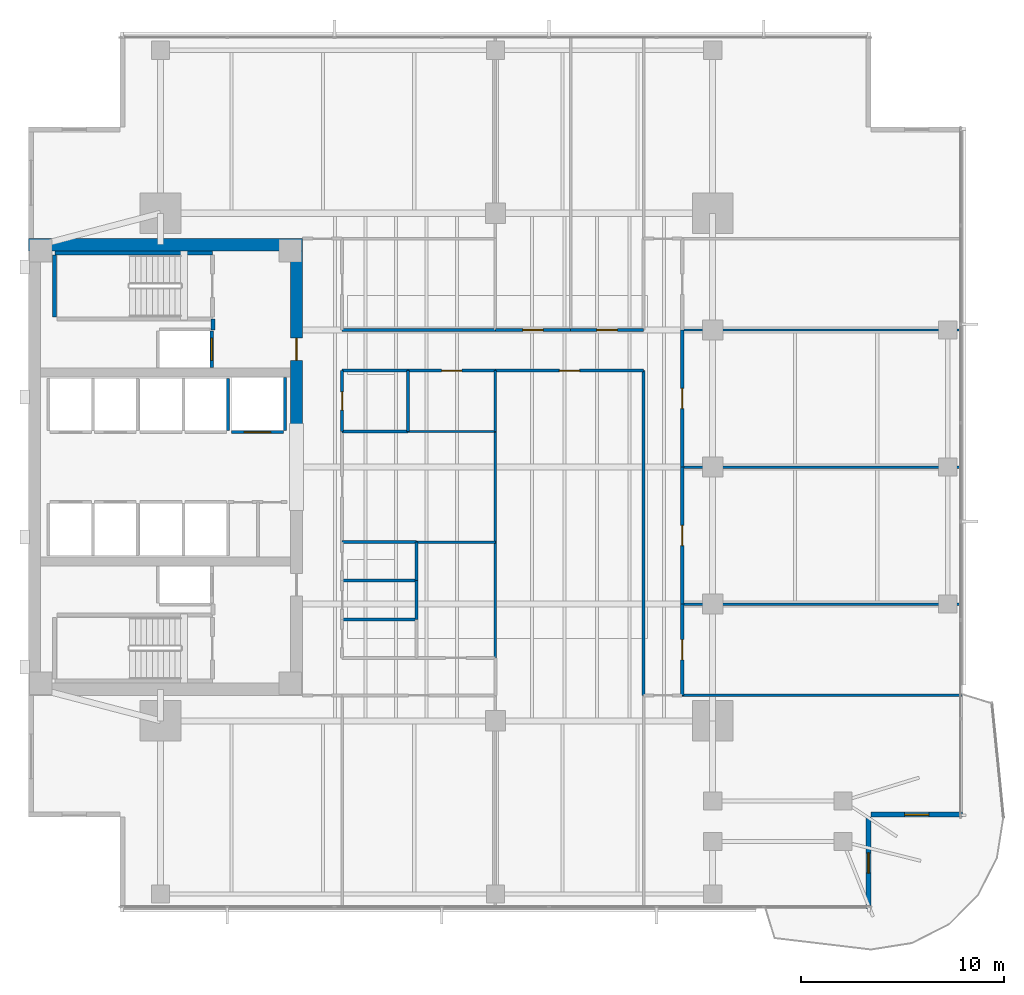
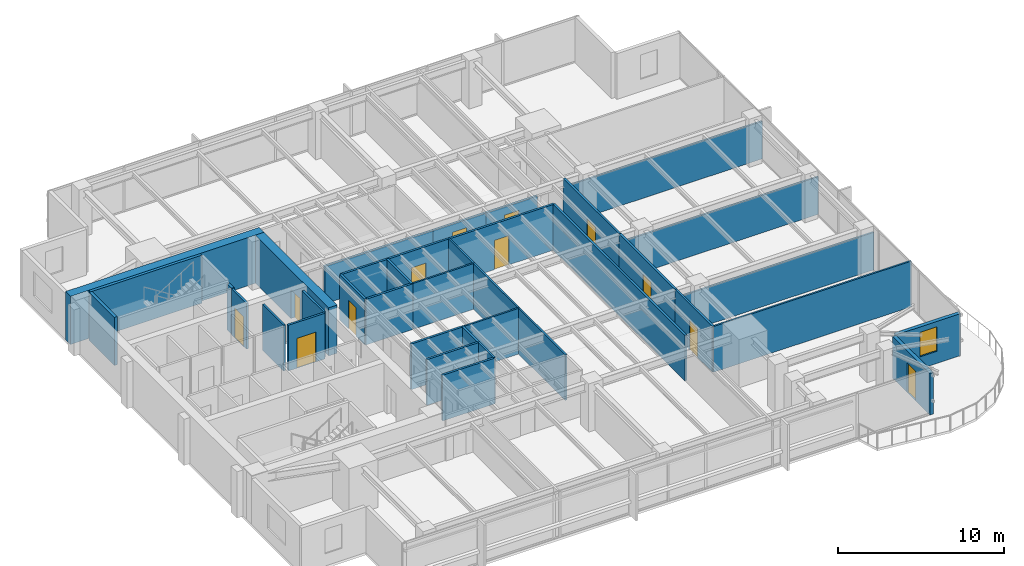
# One storey, part 9 of 14: 38 walls, 12 doors, 1 window, 13 openings.
"""IFC4 building model written with IfcOpenShell, lengths in metres."""

from ifc_helpers import new_model, si_unit, direction, frame, frame_2d, origin, place, context, subcontext, project, spatial, rectangle, extrude, material, layer, layer_set, type_object, element, fill, save


model = new_model("IFC4")

# Units and contexts
model_context = context("Model", 3, precision=1e-05, world=origin(), true_north=direction((0.0, 1.0)))
body_context = subcontext(model_context, "Body", "Model", "MODEL_VIEW")
ifc_project = project(units=[si_unit("LENGTHUNIT", "METRE"), si_unit("AREAUNIT", "SQUARE_METRE"), si_unit("VOLUMEUNIT", "CUBIC_METRE"), si_unit("PLANEANGLEUNIT", "RADIAN"), si_unit("MASSUNIT", "GRAM", prefix="KILO")], contexts=[model_context])

# Site, building, storey
site_placement = place(None, origin())
site = spatial("IfcSite", under=ifc_project, at=site_placement, CompositionType="ELEMENT")
building_placement = place(site_placement, origin())
building = spatial("IfcBuilding", under=site, at=building_placement, Name="Kinhvarn Gate Tower", CompositionType="ELEMENT")
storey_placement = place(building_placement, frame((0.0, 0.0, 155.5)))
storey = spatial("IfcBuildingStorey", under=building, at=storey_placement, Name="L41", CompositionType="ELEMENT", Elevation=155.5)

# Wall
ifc_material_1 = material(Name="Concrete C60/75", Category="concrete")
ifc_layer_1 = layer(ifc_material_1, 0.60009765625)
ifc_layer_set_1 = layer_set([ifc_layer_1], Name="Concrete C60/75")
wall_type_1 = type_object("IfcWallType", Name="WL-CORE-600", PredefinedType="SHEAR", material=ifc_layer_set_1)
wall_1_placement = place(storey_placement, frame((4.5, 36.199951171875, 0.0), z_axis=(0.0, 0.0, 1.0), x_axis=(1.0, 0.0, 0.0)))
element("IfcWall", 1, at=wall_1_placement, inside=storey, type_object=wall_type_1, Name="Core North Shear Wall L41 600 mm", PredefinedType="SHEAR", context=body_context, shape_type="SweptSolid", body=[
    extrude(rectangle(XDim=13.5, YDim=0.60009765625, at=frame_2d((6.75, 0.0))), origin(), (0.0, 0.0, 1.0), 3.550048828125),
])

# Wall, opening, door
wall_2_placement = place(storey_placement, frame((17.699951171875, 27.050048828125, 0.0), z_axis=(0.0, 0.0, 1.0), x_axis=(0.0, 1.0, 0.0)))
wall_2 = element("IfcWall", 2, at=wall_2_placement, inside=storey, type_object=wall_type_1, Name="Core East-North Shear Pier L41 600 mm", PredefinedType="SHEAR", context=body_context, shape_type="SweptSolid", body=[
    extrude(rectangle(XDim=8.849853515625, YDim=0.60009765625, at=frame_2d((4.4248046875, 0.0))), origin(), (0.0, 0.0, 1.0), 3.550048828125),
])
opening_1_placement = place(wall_2_placement, frame((3.449951171875, 0.0, 0.0)))
opening_1 = element("IfcOpeningElement", 3, at=opening_1_placement, cuts=wall_2, Name="Opening FD-02", PredefinedType="OPENING", context=body_context, shape_type="SweptSolid", body=[
    extrude(rectangle(XDim=1.10009765625, YDim=2.14990234375, at=frame_2d((0.550048828125, 1.074951171875))), frame((0.0, 0.31005859375, 0.0), z_axis=(0.0, -1.0, 0.0), x_axis=(1.0, 0.0, 0.0)), (0.0, 0.0, 1.0), 0.6201171875),
])
ifc_material_2 = material(Name="Anodised aluminium AW-6063", Category="aluminium")
door_type_1 = type_object("IfcDoorType", Name="DR-FD-1100", OperationType="NOTDEFINED", PredefinedType="DOOR", material=ifc_material_2)
door_1_placement = place(opening_1_placement, origin())
door_1 = element("IfcDoor", 4, at=door_1_placement, inside=storey, type_object=door_type_1, Name="Firefighting Lobby Core Door (L41)", OperationType="SINGLE_SWING_LEFT", OverallHeight=2.14990234375, OverallWidth=1.10009765625, PredefinedType="DOOR", context=body_context, shape_type="SweptSolid", body=[
    extrude(rectangle(XDim=1.10009765625, YDim=2.14990234375, at=frame_2d((0.550048828125, 1.074951171875))), frame((0.0, 0.02490234375, 0.0), z_axis=(0.0, -1.0, 0.0), x_axis=(1.0, 0.0, 0.0)), (0.0, 0.0, 1.0), 0.050048828125),
])
fill(opening_1, door_1)

ifc_material_3 = material(Name="Fired architectural terracotta", Category="masonry")
ifc_layer_2 = layer(ifc_material_3, 0.25)
ifc_layer_set_2 = layer_set([ifc_layer_2], Name="Fired architectural terracotta")
wall_type_2 = type_object("IfcWallType", Name="WL-EXT-250", PredefinedType="SOLIDWALL", material=ifc_layer_set_2)
wall_3_placement = place(storey_placement, frame((45.875, 3.5, 0.0), z_axis=(0.0, 0.0, 1.0), x_axis=(0.0, 1.0, 0.0)))
wall_3 = element("IfcWall", 5, at=wall_3_placement, inside=storey, type_object=wall_type_2, Name="Exterior Solidwall Wall EW-250 (L41 SE-Notch-Door)", PredefinedType="SOLIDWALL", context=body_context, shape_type="SweptSolid", body=[
    extrude(rectangle(XDim=4.5, YDim=0.25, at=frame_2d((2.25, 0.0))), origin(), (0.0, 0.0, 1.0), 3.070068359375),
])
opening_2_placement = place(wall_3_placement, frame((1.75, 0.0, 0.0)))
opening_2 = element("IfcOpeningElement", 6, at=opening_2_placement, cuts=wall_3, Name="Opening BD-01", PredefinedType="OPENING", context=body_context, shape_type="SweptSolid", body=[
    extrude(rectangle(XDim=1.0, YDim=2.199951171875, at=frame_2d((0.5, 1.10009765625))), frame((0.0, 0.135009765625, 0.0), z_axis=(0.0, -1.0, 0.0), x_axis=(1.0, 0.0, 0.0)), (0.0, 0.0, 1.0), 0.27001953125),
])
ifc_material_4 = material(Name="Clear low-e double glazing", Category="glass")
door_type_2 = type_object("IfcDoorType", Name="DR-BAL-1000", OperationType="NOTDEFINED", PredefinedType="DOOR", material=ifc_material_4)
door_2_placement = place(opening_2_placement, frame((1.0, 0.0, 0.0), z_axis=(0.0, 0.0, 1.0), x_axis=(-1.0, 0.0, 0.0)))
door_2 = element("IfcDoor", 7, at=door_2_placement, inside=storey, type_object=door_type_2, Name="S-Carve Balcony Door BD-01 (L41)", OperationType="SINGLE_SWING_LEFT", OverallHeight=2.199951171875, OverallWidth=1.0, PredefinedType="DOOR", context=body_context, shape_type="SweptSolid", body=[
    extrude(rectangle(XDim=1.0, YDim=2.199951171875, at=frame_2d((0.5, 1.10009765625))), frame((0.0, 0.02490234375, 0.0), z_axis=(0.0, -1.0, 0.0), x_axis=(1.0, 0.0, 0.0)), (0.0, 0.0, 1.0), 0.050048828125),
])
fill(opening_2, door_2)

# Wall, opening, window
wall_4_placement = place(storey_placement, frame((46.0, 8.125, 0.0), z_axis=(0.0, 0.0, 1.0), x_axis=(1.0, 0.0, 0.0)))
wall_4 = element("IfcWall", 8, at=wall_4_placement, inside=storey, type_object=wall_type_2, Name="Exterior Solidwall Wall EW-250 (L41 SE-Notch-Win)", PredefinedType="SOLIDWALL", context=body_context, shape_type="SweptSolid", body=[
    extrude(rectangle(XDim=4.5, YDim=0.25, at=frame_2d((2.25, 0.0))), origin(), (0.0, 0.0, 1.0), 3.10009765625),
])
opening_3_placement = place(wall_4_placement, frame((1.64990234375, 0.0, 0.89990234375)))
opening_3 = element("IfcOpeningElement", 9, at=opening_3_placement, cuts=wall_4, Name="Opening WN-02", PredefinedType="OPENING", context=body_context, shape_type="SweptSolid", body=[
    extrude(rectangle(XDim=1.199951171875, YDim=1.800048828125, at=frame_2d((0.60009765625, 0.89990234375))), frame((0.0, 0.135009765625, 0.0), z_axis=(0.0, -1.0, 0.0), x_axis=(1.0, 0.0, 0.0)), (0.0, 0.0, 1.0), 0.27001953125),
])
window_type = type_object("IfcWindowType", Name="WIN-NTC-1200", PartitioningType="SINGLE_PANEL", PredefinedType="WINDOW", material=ifc_material_4)
window_placement = place(opening_3_placement, origin())
window = element("IfcWindow", 10, at=window_placement, inside=storey, type_object=window_type, Name="Recessed Corner Notch Punched Window 1200x1800 mm (L41)", OverallHeight=1.800048828125, OverallWidth=1.199951171875, PartitioningType="SINGLE_PANEL", PredefinedType="WINDOW", context=body_context, shape_type="SweptSolid", body=[
    extrude(rectangle(XDim=1.199951171875, YDim=1.800048828125, at=frame_2d((0.60009765625, 0.89990234375))), frame((0.0, 0.030029296875, 0.0), z_axis=(0.0, -1.0, 0.0), x_axis=(1.0, 0.0, 0.0)), (0.0, 0.0, 1.0), 0.06005859375),
])
fill(opening_3, window)

# Walls
ifc_material_5 = material(Name="Gypsum acoustic partition board")
ifc_layer_3 = layer(ifc_material_5, 0.14990234375)
ifc_layer_set_3 = layer_set([ifc_layer_3], Name="Gypsum acoustic partition board")
wall_type_3 = type_object("IfcWallType", Name="WL-PLM-150", PredefinedType="PLUMBINGWALL", material=ifc_layer_set_3)
for number, where, z_axis, x_axis, name in (
    (11, (19.949951171875, 17.75, 0.0), (0.0, 0.0, 1.0), (1.0, 0.0, 0.0), "Interior Partition PLW-150 (L41)"),
    (12, (19.949951171875, 19.64990234375, 0.0), (0.0, 0.0, 1.0), (1.0, 0.0, 0.0), "Interior Partition PLW-150 (L41)"),
):
    element("IfcWall", number, at=place(storey_placement, frame(where, z_axis=z_axis, x_axis=x_axis)), inside=storey, type_object=wall_type_3, Name=name, PredefinedType="PLUMBINGWALL", context=body_context, shape_type="SweptSolid", body=[
        extrude(rectangle(XDim=3.650146484375, YDim=0.14990234375, at=frame_2d((1.8251953125, 0.0))), origin(), (0.0, 0.0, 1.0), 3.3701171875),
    ])
wall_5_placement = place(storey_placement, frame((23.60009765625, 17.75, 0.0), z_axis=(0.0, 0.0, 1.0), x_axis=(0.0, 1.0, 0.0)))
element("IfcWall", 13, at=wall_5_placement, inside=storey, type_object=wall_type_3, Name="Interior Partition PLW-150 (L41)", PredefinedType="PLUMBINGWALL", context=body_context, shape_type="SweptSolid", body=[
    extrude(rectangle(XDim=1.89990234375, YDim=0.14990234375, at=frame_2d((0.949951171875, 0.0))), origin(), (0.0, 0.0, 1.0), 3.3701171875),
])
wall_6_placement = place(storey_placement, frame((23.60009765625, 19.64990234375, 0.0), z_axis=(0.0, 0.0, 1.0), x_axis=(0.0, 1.0, 0.0)))
element("IfcWall", 14, at=wall_6_placement, inside=storey, type_object=wall_type_3, Name="Interior Partition PLW-150 (L41)", PredefinedType="PLUMBINGWALL", context=body_context, shape_type="SweptSolid", body=[
    extrude(rectangle(XDim=1.900146484375, YDim=0.14990234375, at=frame_2d((0.9501953125, 0.0))), origin(), (0.0, 0.0, 1.0), 3.3701171875),
])
wall_7_placement = place(storey_placement, frame((19.949951171875, 21.550048828125, 0.0), z_axis=(0.0, 0.0, 1.0), x_axis=(1.0, 0.0, 0.0)))
element("IfcWall", 15, at=wall_7_placement, inside=storey, type_object=wall_type_3, Name="Interior Partition PLW-150 (L41)", PredefinedType="PLUMBINGWALL", context=body_context, shape_type="SweptSolid", body=[
    extrude(rectangle(XDim=3.650146484375, YDim=0.14990234375, at=frame_2d((1.8251953125, 0.0))), origin(), (0.0, 0.0, 1.0), 3.3701171875),
])
wall_8_placement = place(storey_placement, frame((19.949951171875, 27.0, 0.0), z_axis=(0.0, 0.0, 1.0), x_axis=(1.0, 0.0, 0.0)))
element("IfcWall", 16, at=wall_8_placement, inside=storey, type_object=wall_type_3, Name="Interior Partition PLW-150 (L41)", PredefinedType="PLUMBINGWALL", context=body_context, shape_type="SweptSolid", body=[
    extrude(rectangle(XDim=3.25, YDim=0.14990234375, at=frame_2d((1.625, 0.0))), origin(), (0.0, 0.0, 1.0), 3.3701171875),
])
wall_9_placement = place(storey_placement, frame((23.199951171875, 27.0, 0.0), z_axis=(0.0, 0.0, 1.0), x_axis=(0.0, 1.0, 0.0)))
element("IfcWall", 17, at=wall_9_placement, inside=storey, type_object=wall_type_3, Name="Interior Partition PLW-150 (L41)", PredefinedType="PLUMBINGWALL", context=body_context, shape_type="SweptSolid", body=[
    extrude(rectangle(XDim=3.0, YDim=0.14990234375, at=frame_2d((1.5, 0.0))), origin(), (0.0, 0.0, 1.0), 3.3701171875),
])

# Wall, opening, door
ifc_layer_4 = layer(ifc_material_5, 0.14990234375)
ifc_layer_set_4 = layer_set([ifc_layer_4], Name="Gypsum acoustic partition board")
wall_type_4 = type_object("IfcWallType", Name="WL-PLM-150F", PredefinedType="PLUMBINGWALL", material=ifc_layer_set_4)
wall_10_placement = place(storey_placement, frame((19.949951171875, 27.0, 0.0), z_axis=(0.0, 0.0, 1.0), x_axis=(0.0, 1.0, 0.0)))
wall_10 = element("IfcWall", 18, at=wall_10_placement, inside=storey, type_object=wall_type_4, Name="Interior Partition PLW-150F (L41)", PredefinedType="PLUMBINGWALL", context=body_context, shape_type="SweptSolid", body=[
    extrude(rectangle(XDim=3.0, YDim=0.14990234375, at=frame_2d((1.5, 0.0))), origin(), (0.0, 0.0, 1.0), 3.3701171875),
])
opening_4_placement = place(wall_10_placement, frame((1.050048828125, 0.0, 0.0)))
opening_4 = element("IfcOpeningElement", 19, at=opening_4_placement, cuts=wall_10, Name="Opening FD-04", PredefinedType="OPENING", context=body_context, shape_type="SweptSolid", body=[
    extrude(rectangle(XDim=0.89990234375, YDim=2.10009765625, at=frame_2d((0.449951171875, 1.050048828125))), frame((0.0, 0.0849609375, 0.0), z_axis=(0.0, -1.0, 0.0), x_axis=(1.0, 0.0, 0.0)), (0.0, 0.0, 1.0), 0.169921875),
])
door_type_3 = type_object("IfcDoorType", Name="DR-FD-900", OperationType="NOTDEFINED", PredefinedType="DOOR", material=ifc_material_2)
door_3_placement = place(opening_4_placement, origin())
door_3 = element("IfcDoor", 20, at=door_3_placement, inside=storey, type_object=door_type_3, Name="Rated Riser & Service Closet Fire Door 900x2100 mm (L41)", OperationType="SINGLE_SWING_LEFT", OverallHeight=2.10009765625, OverallWidth=0.89990234375, PredefinedType="DOOR", context=body_context, shape_type="SweptSolid", body=[
    extrude(rectangle(XDim=0.89990234375, YDim=2.10009765625, at=frame_2d((0.449951171875, 1.050048828125))), frame((0.0, 0.02490234375, 0.0), z_axis=(0.0, -1.0, 0.0), x_axis=(1.0, 0.0, 0.0)), (0.0, 0.0, 1.0), 0.050048828125),
])
fill(opening_4, door_3)

# Walls
wall_11_placement = place(storey_placement, frame((19.949951171875, 30.0, 0.0), z_axis=(0.0, 0.0, 1.0), x_axis=(1.0, 0.0, 0.0)))
element("IfcWall", 21, at=wall_11_placement, inside=storey, type_object=wall_type_4, Name="Interior Partition PLW-150F (L41)", PredefinedType="PLUMBINGWALL", context=body_context, shape_type="SweptSolid", body=[
    extrude(rectangle(XDim=3.25, YDim=0.14990234375, at=frame_2d((1.625, 0.0))), origin(), (0.0, 0.0, 1.0), 3.3701171875),
])
ifc_layer_5 = layer(ifc_material_5, 0.1201171875)
ifc_layer_set_5 = layer_set([ifc_layer_5], Name="Gypsum acoustic partition board")
wall_type_5 = type_object("IfcWallType", Name="WL-PRT-120", PredefinedType="PARTITIONING", material=ifc_layer_set_5)
wall_12_placement = place(storey_placement, frame((23.60009765625, 21.550048828125, 0.0), z_axis=(0.0, 0.0, 1.0), x_axis=(1.0, 0.0, 0.0)))
element("IfcWall", 22, at=wall_12_placement, inside=storey, type_object=wall_type_5, Name="Interior Partition PW-120 (L41)", PredefinedType="PARTITIONING", context=body_context, shape_type="SweptSolid", body=[
    extrude(rectangle(XDim=3.89990234375, YDim=0.1201171875, at=frame_2d((1.949951171875, 0.0))), origin(), (0.0, 0.0, 1.0), 3.3701171875),
])
wall_13_placement = place(storey_placement, frame((27.5, 15.85009765625, 0.0), z_axis=(0.0, 0.0, 1.0), x_axis=(0.0, 1.0, 0.0)))
element("IfcWall", 23, at=wall_13_placement, inside=storey, type_object=wall_type_5, Name="Interior Partition PW-120 (L41)", PredefinedType="PARTITIONING", context=body_context, shape_type="SweptSolid", body=[
    extrude(rectangle(XDim=5.699951171875, YDim=0.1201171875, at=frame_2d((2.85009765625, 0.0))), origin(), (0.0, 0.0, 1.0), 3.3701171875),
])
wall_14_placement = place(storey_placement, frame((23.199951171875, 27.0, 0.0), z_axis=(0.0, 0.0, 1.0), x_axis=(1.0, 0.0, 0.0)))
element("IfcWall", 24, at=wall_14_placement, inside=storey, type_object=wall_type_5, Name="Interior Partition PW-120 (L41)", PredefinedType="PARTITIONING", context=body_context, shape_type="SweptSolid", body=[
    extrude(rectangle(XDim=4.300048828125, YDim=0.1201171875, at=frame_2d((2.14990234375, 0.0))), origin(), (0.0, 0.0, 1.0), 3.3701171875),
])
wall_15_placement = place(storey_placement, frame((27.5, 21.550048828125, 0.0), z_axis=(0.0, 0.0, 1.0), x_axis=(0.0, 1.0, 0.0)))
element("IfcWall", 25, at=wall_15_placement, inside=storey, type_object=wall_type_5, Name="Interior Partition PW-120 (L41)", PredefinedType="PARTITIONING", context=body_context, shape_type="SweptSolid", body=[
    extrude(rectangle(XDim=5.449951171875, YDim=0.1201171875, at=frame_2d((2.72509765625, 0.0))), origin(), (0.0, 0.0, 1.0), 3.3701171875),
])
wall_16_placement = place(storey_placement, frame((27.5, 27.0, 0.0), z_axis=(0.0, 0.0, 1.0), x_axis=(0.0, 1.0, 0.0)))
element("IfcWall", 26, at=wall_16_placement, inside=storey, type_object=wall_type_5, Name="Interior Partition PW-120 (L41)", PredefinedType="PARTITIONING", context=body_context, shape_type="SweptSolid", body=[
    extrude(rectangle(XDim=3.0, YDim=0.1201171875, at=frame_2d((1.5, 0.0))), origin(), (0.0, 0.0, 1.0), 3.3701171875),
])
wall_17_placement = place(storey_placement, frame((36.699951171875, 14.0, 0.0), z_axis=(0.0, 0.0, 1.0), x_axis=(1.0, 0.0, 0.0)))
element("IfcWall", 27, at=wall_17_placement, inside=storey, type_object=wall_type_5, Name="Interior Partition PW-120 (L41)", PredefinedType="PARTITIONING", context=body_context, shape_type="SweptSolid", body=[
    extrude(rectangle(XDim=13.7900390625, YDim=0.1201171875, at=frame_2d((6.89501953125, 0.0))), origin(), (0.0, 0.0, 1.0), 3.3701171875),
])
for number, where, z_axis, x_axis, name in (
    (28, (36.699951171875, 18.5, 0.0), (0.0, 0.0, 1.0), (1.0, 0.0, 0.0), "Interior Partition PW-120 (L41)"),
    (29, (36.699951171875, 25.25, 0.0), (0.0, 0.0, 1.0), (1.0, 0.0, 0.0), "Interior Partition PW-120 (L41)"),
    (30, (36.699951171875, 32.0, 0.0), (0.0, 0.0, 1.0), (1.0, 0.0, 0.0), "Interior Partition PW-120 (L41)"),
):
    element("IfcWall", number, at=place(storey_placement, frame(where, z_axis=z_axis, x_axis=x_axis)), inside=storey, type_object=wall_type_5, Name=name, PredefinedType="PARTITIONING", context=body_context, shape_type="SweptSolid", body=[
        extrude(rectangle(XDim=13.7900390625, YDim=0.1201171875, at=frame_2d((6.89501953125, 0.0))), origin(), (0.0, 0.0, 1.0), 2.77001953125),
    ])

# Wall, opening, door
ifc_layer_6 = layer(ifc_material_5, 0.14990234375)
ifc_layer_set_6 = layer_set([ifc_layer_6], Name="Gypsum acoustic partition board")
wall_type_6 = type_object("IfcWallType", Name="WL-PRT-150F", PredefinedType="PARTITIONING", material=ifc_layer_set_6)
wall_18_placement = place(storey_placement, frame((23.199951171875, 30.0, 0.0), z_axis=(0.0, 0.0, 1.0), x_axis=(1.0, 0.0, 0.0)))
wall_18 = element("IfcWall", 31, at=wall_18_placement, inside=storey, type_object=wall_type_6, Name="Interior Partition PW-150F (L41)", PredefinedType="PARTITIONING", context=body_context, shape_type="SweptSolid", body=[
    extrude(rectangle(XDim=4.300048828125, YDim=0.14990234375, at=frame_2d((2.14990234375, 0.0))), origin(), (0.0, 0.0, 1.0), 3.3701171875),
])
opening_5_placement = place(wall_18_placement, frame((1.64990234375, 0.0, 0.0)))
opening_5 = element("IfcOpeningElement", 32, at=opening_5_placement, cuts=wall_18, Name="Opening ID-02", PredefinedType="OPENING", context=body_context, shape_type="SweptSolid", body=[
    extrude(rectangle(XDim=1.0, YDim=2.14990234375, at=frame_2d((0.5, 1.074951171875))), frame((0.0, 0.0849609375, 0.0), z_axis=(0.0, -1.0, 0.0), x_axis=(1.0, 0.0, 0.0)), (0.0, 0.0, 1.0), 0.169921875),
])
door_type_4 = type_object("IfcDoorType", Name="DR-INT-1000", OperationType="NOTDEFINED", PredefinedType="DOOR", material=ifc_material_2)
door_4_placement = place(opening_5_placement, origin())
door_4 = element("IfcDoor", 33, at=door_4_placement, inside=storey, type_object=door_type_4, Name="Standard Office & Meeting Room Door 1000x2150 mm (L41)", OperationType="SINGLE_SWING_LEFT", OverallHeight=2.14990234375, OverallWidth=1.0, PredefinedType="DOOR", context=body_context, shape_type="SweptSolid", body=[
    extrude(rectangle(XDim=1.0, YDim=2.14990234375, at=frame_2d((0.5, 1.074951171875))), frame((0.0, 0.02490234375, 0.0), z_axis=(0.0, -1.0, 0.0), x_axis=(1.0, 0.0, 0.0)), (0.0, 0.0, 1.0), 0.050048828125),
])
fill(opening_5, door_4)

# Wall
wall_19_placement = place(storey_placement, frame((19.949951171875, 32.0, 0.0), z_axis=(0.0, 0.0, 1.0), x_axis=(1.0, 0.0, 0.0)))
element("IfcWall", 34, at=wall_19_placement, inside=storey, type_object=wall_type_6, Name="Interior Partition PW-150F (L41)", PredefinedType="PARTITIONING", context=body_context, shape_type="SweptSolid", body=[
    extrude(rectangle(XDim=7.550048828125, YDim=0.14990234375, at=frame_2d((3.77490234375, 0.0))), origin(), (0.0, 0.0, 1.0), 2.77001953125),
])

# Wall, opening, door
wall_20_placement = place(storey_placement, frame((27.5, 30.0, 0.0), z_axis=(0.0, 0.0, 1.0), x_axis=(1.0, 0.0, 0.0)))
wall_20 = element("IfcWall", 35, at=wall_20_placement, inside=storey, type_object=wall_type_6, Name="Interior Partition PW-150F (L41)", PredefinedType="PARTITIONING", context=body_context, shape_type="SweptSolid", body=[
    extrude(rectangle(XDim=7.300048828125, YDim=0.14990234375, at=frame_2d((3.64990234375, 0.0))), origin(), (0.0, 0.0, 1.0), 3.3701171875),
])
opening_6_placement = place(wall_20_placement, frame((3.14990234375, 0.0, 0.0)))
opening_6 = element("IfcOpeningElement", 36, at=opening_6_placement, cuts=wall_20, Name="Opening ID-02", PredefinedType="OPENING", context=body_context, shape_type="SweptSolid", body=[
    extrude(rectangle(XDim=1.0, YDim=2.14990234375, at=frame_2d((0.5, 1.074951171875))), frame((0.0, 0.0849609375, 0.0), z_axis=(0.0, -1.0, 0.0), x_axis=(1.0, 0.0, 0.0)), (0.0, 0.0, 1.0), 0.169921875),
])
door_5_placement = place(opening_6_placement, origin())
door_5 = element("IfcDoor", 37, at=door_5_placement, inside=storey, type_object=door_type_4, Name="Standard Office & Meeting Room Door 1000x2150 mm (L41)", OperationType="SINGLE_SWING_RIGHT", OverallHeight=2.14990234375, OverallWidth=1.0, PredefinedType="DOOR", context=body_context, shape_type="SweptSolid", body=[
    extrude(rectangle(XDim=1.0, YDim=2.14990234375, at=frame_2d((0.5, 1.074951171875))), frame((0.0, 0.02490234375, 0.0), z_axis=(0.0, -1.0, 0.0), x_axis=(1.0, 0.0, 0.0)), (0.0, 0.0, 1.0), 0.050048828125),
])
fill(opening_6, door_5)

wall_21_placement = place(storey_placement, frame((27.5, 32.0, 0.0), z_axis=(0.0, 0.0, 1.0), x_axis=(1.0, 0.0, 0.0)))
wall_21 = element("IfcWall", 38, at=wall_21_placement, inside=storey, type_object=wall_type_6, Name="Interior Partition PW-150F (L41)", PredefinedType="PARTITIONING", context=body_context, shape_type="SweptSolid", body=[
    extrude(rectangle(XDim=3.699951171875, YDim=0.14990234375, at=frame_2d((1.85009765625, 0.0))), origin(), (0.0, 0.0, 1.0), 2.77001953125),
])
opening_7_placement = place(wall_21_placement, frame((1.35009765625, 0.0, 0.0)))
opening_7 = element("IfcOpeningElement", 39, at=opening_7_placement, cuts=wall_21, Name="Opening ID-02", PredefinedType="OPENING", context=body_context, shape_type="SweptSolid", body=[
    extrude(rectangle(XDim=1.0, YDim=2.14990234375, at=frame_2d((0.5, 1.074951171875))), frame((0.0, 0.0849609375, 0.0), z_axis=(0.0, -1.0, 0.0), x_axis=(1.0, 0.0, 0.0)), (0.0, 0.0, 1.0), 0.169921875),
])
door_6_placement = place(opening_7_placement, origin())
door_6 = element("IfcDoor", 40, at=door_6_placement, inside=storey, type_object=door_type_4, Name="Standard Office & Meeting Room Door 1000x2150 mm (L41)", OperationType="SINGLE_SWING_LEFT", OverallHeight=2.14990234375, OverallWidth=1.0, PredefinedType="DOOR", context=body_context, shape_type="SweptSolid", body=[
    extrude(rectangle(XDim=1.0, YDim=2.14990234375, at=frame_2d((0.5, 1.074951171875))), frame((0.0, 0.02490234375, 0.0), z_axis=(0.0, -1.0, 0.0), x_axis=(1.0, 0.0, 0.0)), (0.0, 0.0, 1.0), 0.050048828125),
])
fill(opening_7, door_6)

wall_22_placement = place(storey_placement, frame((31.199951171875, 32.0, 0.0), z_axis=(0.0, 0.0, 1.0), x_axis=(1.0, 0.0, 0.0)))
wall_22 = element("IfcWall", 41, at=wall_22_placement, inside=storey, type_object=wall_type_6, Name="Interior Partition PW-150F (L41)", PredefinedType="PARTITIONING", context=body_context, shape_type="SweptSolid", body=[
    extrude(rectangle(XDim=3.60009765625, YDim=0.14990234375, at=frame_2d((1.800048828125, 0.0))), origin(), (0.0, 0.0, 1.0), 2.77001953125),
])
opening_8_placement = place(wall_22_placement, frame((1.300048828125, 0.0, 0.0)))
opening_8 = element("IfcOpeningElement", 42, at=opening_8_placement, cuts=wall_22, Name="Opening ID-02", PredefinedType="OPENING", context=body_context, shape_type="SweptSolid", body=[
    extrude(rectangle(XDim=1.0, YDim=2.14990234375, at=frame_2d((0.5, 1.074951171875))), frame((0.0, 0.0849609375, 0.0), z_axis=(0.0, -1.0, 0.0), x_axis=(1.0, 0.0, 0.0)), (0.0, 0.0, 1.0), 0.169921875),
])
door_7_placement = place(opening_8_placement, origin())
door_7 = element("IfcDoor", 43, at=door_7_placement, inside=storey, type_object=door_type_4, Name="Standard Office & Meeting Room Door 1000x2150 mm (L41)", OperationType="SINGLE_SWING_RIGHT", OverallHeight=2.14990234375, OverallWidth=1.0, PredefinedType="DOOR", context=body_context, shape_type="SweptSolid", body=[
    extrude(rectangle(XDim=1.0, YDim=2.14990234375, at=frame_2d((0.5, 1.074951171875))), frame((0.0, 0.02490234375, 0.0), z_axis=(0.0, -1.0, 0.0), x_axis=(1.0, 0.0, 0.0)), (0.0, 0.0, 1.0), 0.050048828125),
])
fill(opening_8, door_7)

# Wall
wall_23_placement = place(storey_placement, frame((34.800048828125, 14.0, 0.0), z_axis=(0.0, 0.0, 1.0), x_axis=(0.0, 1.0, 0.0)))
element("IfcWall", 44, at=wall_23_placement, inside=storey, type_object=wall_type_6, Name="Interior Partition PW-150F (L41)", PredefinedType="PARTITIONING", context=body_context, shape_type="SweptSolid", body=[
    extrude(rectangle(XDim=16.0, YDim=0.14990234375, at=frame_2d((8.0, 0.0))), origin(), (0.0, 0.0, 1.0), 3.3701171875),
])

# Wall, opening, door
wall_24_placement = place(storey_placement, frame((36.699951171875, 14.0, 0.0), z_axis=(0.0, 0.0, 1.0), x_axis=(0.0, 1.0, 0.0)))
wall_24 = element("IfcWall", 45, at=wall_24_placement, inside=storey, type_object=wall_type_6, Name="Interior Partition PW-150F (L41)", PredefinedType="PARTITIONING", context=body_context, shape_type="SweptSolid", body=[
    extrude(rectangle(XDim=4.5, YDim=0.14990234375, at=frame_2d((2.25, 0.0))), origin(), (0.0, 0.0, 1.0), 3.3701171875),
])
opening_9_placement = place(wall_24_placement, frame((1.75, 0.0, 0.0)))
opening_9 = element("IfcOpeningElement", 46, at=opening_9_placement, cuts=wall_24, Name="Opening ID-02", PredefinedType="OPENING", context=body_context, shape_type="SweptSolid", body=[
    extrude(rectangle(XDim=1.0, YDim=2.14990234375, at=frame_2d((0.5, 1.074951171875))), frame((0.0, 0.0849609375, 0.0), z_axis=(0.0, -1.0, 0.0), x_axis=(1.0, 0.0, 0.0)), (0.0, 0.0, 1.0), 0.169921875),
])
door_8_placement = place(opening_9_placement, origin())
door_8 = element("IfcDoor", 47, at=door_8_placement, inside=storey, type_object=door_type_4, Name="Standard Office & Meeting Room Door 1000x2150 mm (L41)", OperationType="SINGLE_SWING_RIGHT", OverallHeight=2.14990234375, OverallWidth=1.0, PredefinedType="DOOR", context=body_context, shape_type="SweptSolid", body=[
    extrude(rectangle(XDim=1.0, YDim=2.14990234375, at=frame_2d((0.5, 1.074951171875))), frame((0.0, 0.02490234375, 0.0), z_axis=(0.0, -1.0, 0.0), x_axis=(1.0, 0.0, 0.0)), (0.0, 0.0, 1.0), 0.050048828125),
])
fill(opening_9, door_8)

wall_25_placement = place(storey_placement, frame((36.699951171875, 18.5, 0.0), z_axis=(0.0, 0.0, 1.0), x_axis=(0.0, 1.0, 0.0)))
wall_25 = element("IfcWall", 48, at=wall_25_placement, inside=storey, type_object=wall_type_6, Name="Interior Partition PW-150F (L41)", PredefinedType="PARTITIONING", context=body_context, shape_type="SweptSolid", body=[
    extrude(rectangle(XDim=6.75, YDim=0.14990234375, at=frame_2d((3.375, 0.0))), origin(), (0.0, 0.0, 1.0), 3.3701171875),
])
opening_10_placement = place(wall_25_placement, frame((2.875, 0.0, 0.0)))
opening_10 = element("IfcOpeningElement", 49, at=opening_10_placement, cuts=wall_25, Name="Opening ID-02", PredefinedType="OPENING", context=body_context, shape_type="SweptSolid", body=[
    extrude(rectangle(XDim=1.0, YDim=2.14990234375, at=frame_2d((0.5, 1.074951171875))), frame((0.0, 0.0849609375, 0.0), z_axis=(0.0, -1.0, 0.0), x_axis=(1.0, 0.0, 0.0)), (0.0, 0.0, 1.0), 0.169921875),
])
door_9_placement = place(opening_10_placement, origin())
door_9 = element("IfcDoor", 50, at=door_9_placement, inside=storey, type_object=door_type_4, Name="Standard Office & Meeting Room Door 1000x2150 mm (L41)", OperationType="SINGLE_SWING_LEFT", OverallHeight=2.14990234375, OverallWidth=1.0, PredefinedType="DOOR", context=body_context, shape_type="SweptSolid", body=[
    extrude(rectangle(XDim=1.0, YDim=2.14990234375, at=frame_2d((0.5, 1.074951171875))), frame((0.0, 0.02490234375, 0.0), z_axis=(0.0, -1.0, 0.0), x_axis=(1.0, 0.0, 0.0)), (0.0, 0.0, 1.0), 0.050048828125),
])
fill(opening_10, door_9)

wall_26_placement = place(storey_placement, frame((36.699951171875, 25.25, 0.0), z_axis=(0.0, 0.0, 1.0), x_axis=(0.0, 1.0, 0.0)))
wall_26 = element("IfcWall", 51, at=wall_26_placement, inside=storey, type_object=wall_type_6, Name="Interior Partition PW-150F (L41)", PredefinedType="PARTITIONING", context=body_context, shape_type="SweptSolid", body=[
    extrude(rectangle(XDim=6.75, YDim=0.14990234375, at=frame_2d((3.375, 0.0))), origin(), (0.0, 0.0, 1.0), 3.3701171875),
])
opening_11_placement = place(wall_26_placement, frame((2.875, 0.0, 0.0)))
opening_11 = element("IfcOpeningElement", 52, at=opening_11_placement, cuts=wall_26, Name="Opening ID-02", PredefinedType="OPENING", context=body_context, shape_type="SweptSolid", body=[
    extrude(rectangle(XDim=1.0, YDim=2.14990234375, at=frame_2d((0.5, 1.074951171875))), frame((0.0, 0.0849609375, 0.0), z_axis=(0.0, -1.0, 0.0), x_axis=(1.0, 0.0, 0.0)), (0.0, 0.0, 1.0), 0.169921875),
])
door_10_placement = place(opening_11_placement, origin())
door_10 = element("IfcDoor", 53, at=door_10_placement, inside=storey, type_object=door_type_4, Name="Standard Office & Meeting Room Door 1000x2150 mm (L41)", OperationType="SINGLE_SWING_RIGHT", OverallHeight=2.14990234375, OverallWidth=1.0, PredefinedType="DOOR", context=body_context, shape_type="SweptSolid", body=[
    extrude(rectangle(XDim=1.0, YDim=2.14990234375, at=frame_2d((0.5, 1.074951171875))), frame((0.0, 0.02490234375, 0.0), z_axis=(0.0, -1.0, 0.0), x_axis=(1.0, 0.0, 0.0)), (0.0, 0.0, 1.0), 0.050048828125),
])
fill(opening_11, door_10)

# Walls
ifc_layer_7 = layer(ifc_material_5, 0.199951171875)
ifc_layer_set_7 = layer_set([ifc_layer_7], Name="Gypsum acoustic partition board")
wall_type_7 = type_object("IfcWallType", Name="WL-PRT-200", PredefinedType="PARTITIONING", material=ifc_layer_set_7)
wall_27_placement = place(storey_placement, frame((13.580078125, 32.0, 0.0), z_axis=(0.0, 0.0, 1.0), x_axis=(0.0, 1.0, 0.0)))
element("IfcWall", 54, at=wall_27_placement, inside=storey, type_object=wall_type_7, Name="Interior Partition PW-200 (L41)", PredefinedType="PARTITIONING", context=body_context, shape_type="SweptSolid", body=[
    extrude(rectangle(XDim=0.5400390625, YDim=0.199951171875, at=frame_2d((0.27001953125, 0.0))), origin(), (0.0, 0.0, 1.0), 3.3701171875),
])
ifc_layer_8 = layer(ifc_material_5, 0.14990234375)
ifc_layer_set_8 = layer_set([ifc_layer_8], Name="Gypsum acoustic partition board")
wall_type_8 = type_object("IfcWallType", Name="WL-SHF-150", PredefinedType="PARTITIONING", material=ifc_layer_set_8)
wall_28_placement = place(storey_placement, frame((14.324951171875, 27.050048828125, 0.0), z_axis=(0.0, 0.0, 1.0), x_axis=(0.0, 1.0, 0.0)))
element("IfcWall", 55, at=wall_28_placement, inside=storey, type_object=wall_type_8, Name="Elevator PH-12 Hoistway Wall E (L41)", PredefinedType="PARTITIONING", context=body_context, shape_type="SweptSolid", body=[
    extrude(rectangle(XDim=2.550048828125, YDim=0.14990234375, at=frame_2d((1.27490234375, 0.0))), origin(), (0.0, 0.0, 1.0), 3.3701171875),
])

# Wall, opening, door
wall_29_placement = place(storey_placement, frame((14.5, 26.97509765625, 0.0), z_axis=(0.0, 0.0, 1.0), x_axis=(1.0, 0.0, 0.0)))
wall_29 = element("IfcWall", 56, at=wall_29_placement, inside=storey, type_object=wall_type_8, Name="Elevator SV-01 Landing Wall (L41)", PredefinedType="PARTITIONING", context=body_context, shape_type="SweptSolid", body=[
    extrude(rectangle(XDim=2.550048828125, YDim=0.14990234375, at=frame_2d((1.27490234375, 0.0))), origin(), (0.0, 0.0, 1.0), 3.3701171875),
])
opening_12_placement = place(wall_29_placement, frame((0.625, 0.0, 0.0)))
opening_12 = element("IfcOpeningElement", 57, at=opening_12_placement, cuts=wall_29, Name="Opening LD-02", PredefinedType="OPENING", context=body_context, shape_type="SweptSolid", body=[
    extrude(rectangle(XDim=1.300048828125, YDim=2.199951171875, at=frame_2d((0.64990234375, 1.10009765625))), frame((0.0, 0.0849609375, 0.0), z_axis=(0.0, -1.0, 0.0), x_axis=(1.0, 0.0, 0.0)), (0.0, 0.0, 1.0), 0.169921875),
])
door_type_5 = type_object("IfcDoorType", Name="DR-LND-SRV", OperationType="NOTDEFINED", PredefinedType="DOOR", material=ifc_material_2)
door_11_placement = place(opening_12_placement, origin())
door_11 = element("IfcDoor", 58, at=door_11_placement, inside=storey, type_object=door_type_5, Name="Elevator SV-01 Sliding Landing Door (L41)", OperationType="DOUBLE_DOOR_SLIDING", OverallHeight=2.199951171875, OverallWidth=1.300048828125, PredefinedType="DOOR", context=body_context, shape_type="SweptSolid", body=[
    extrude(rectangle(XDim=1.300048828125, YDim=2.199951171875, at=frame_2d((0.64990234375, 1.10009765625))), frame((0.0, 0.02490234375, 0.0), z_axis=(0.0, -1.0, 0.0), x_axis=(1.0, 0.0, 0.0)), (0.0, 0.0, 1.0), 0.050048828125),
])
fill(opening_12, door_11)

# Wall
wall_30_placement = place(storey_placement, frame((17.125, 27.050048828125, 0.0), z_axis=(0.0, 0.0, 1.0), x_axis=(0.0, 1.0, 0.0)))
element("IfcWall", 59, at=wall_30_placement, inside=storey, type_object=wall_type_8, Name="Elevator SV-01 Hoistway Wall E (L41)", PredefinedType="PARTITIONING", context=body_context, shape_type="SweptSolid", body=[
    extrude(rectangle(XDim=2.599853515625, YDim=0.14990234375, at=frame_2d((1.2998046875, 0.0))), origin(), (0.0, 0.0, 1.0), 3.3701171875),
])

# Wall, opening, door
wall_31_placement = place(storey_placement, frame((13.52490234375, 30.14990234375, 0.0), z_axis=(0.0, 0.0, 1.0), x_axis=(0.0, 1.0, 0.0)))
wall_31 = element("IfcWall", 60, at=wall_31_placement, inside=storey, type_object=wall_type_8, Name="Elevator FF2 Landing Wall (L41)", PredefinedType="PARTITIONING", context=body_context, shape_type="SweptSolid", body=[
    extrude(rectangle(XDim=1.800048828125, YDim=0.14990234375, at=frame_2d((0.89990234375, 0.0))), origin(), (0.0, 0.0, 1.0), 3.3701171875),
])
opening_13_placement = place(wall_31_placement, frame((0.35009765625, 0.0, 0.0)))
opening_13 = element("IfcOpeningElement", 61, at=opening_13_placement, cuts=wall_31, Name="Opening LD-03", PredefinedType="OPENING", context=body_context, shape_type="SweptSolid", body=[
    extrude(rectangle(XDim=1.10009765625, YDim=2.199951171875, at=frame_2d((0.550048828125, 1.10009765625))), frame((0.0, 0.0849609375, 0.0), z_axis=(0.0, -1.0, 0.0), x_axis=(1.0, 0.0, 0.0)), (0.0, 0.0, 1.0), 0.169921875),
])
door_type_6 = type_object("IfcDoorType", Name="DR-LND-FF", OperationType="NOTDEFINED", PredefinedType="DOOR", material=ifc_material_2)
door_12_placement = place(opening_13_placement, origin())
door_12 = element("IfcDoor", 62, at=door_12_placement, inside=storey, type_object=door_type_6, Name="Elevator FF2 Sliding Landing Door (L41)", OperationType="DOUBLE_DOOR_SLIDING", OverallHeight=2.199951171875, OverallWidth=1.10009765625, PredefinedType="DOOR", context=body_context, shape_type="SweptSolid", body=[
    extrude(rectangle(XDim=1.10009765625, YDim=2.199951171875, at=frame_2d((0.550048828125, 1.10009765625))), frame((0.0, 0.02490234375, 0.0), z_axis=(0.0, -1.0, 0.0), x_axis=(1.0, 0.0, 0.0)), (0.0, 0.0, 1.0), 0.050048828125),
])
fill(opening_13, door_12)

# Walls
ifc_material_6 = material(Name="Concrete C40/50", Category="concrete")
ifc_layer_9 = layer(ifc_material_6, 0.199951171875)
ifc_layer_set_9 = layer_set([ifc_layer_9], Name="Concrete C40/50")
wall_type_9 = type_object("IfcWallType", Name="WL-SHF-200", PredefinedType="SOLIDWALL", material=ifc_layer_set_9)
wall_32_placement = place(storey_placement, frame((5.800048828125, 35.800048828125, 0.0), z_axis=(0.0, 0.0, 1.0), x_axis=(1.0, 0.0, 0.0)))
element("IfcWall", 63, at=wall_32_placement, inside=storey, type_object=wall_type_9, Name="Stair ST2 North Shaft Wall (L41)", PredefinedType="SOLIDWALL", context=body_context, shape_type="SweptSolid", body=[
    extrude(rectangle(XDim=7.75, YDim=0.199951171875, at=frame_2d((3.875, 0.0))), origin(), (0.0, 0.0, 1.0), 3.550048828125),
])
wall_33_placement = place(storey_placement, frame((5.7900390625, 32.64990234375, 0.0), z_axis=(0.0, 0.0, 1.0), x_axis=(0.0, 1.0, 0.0)))
element("IfcWall", 64, at=wall_33_placement, inside=storey, type_object=wall_type_9, Name="Stair ST2 West Shaft Wall (L41)", PredefinedType="SOLIDWALL", context=body_context, shape_type="SweptSolid", body=[
    extrude(rectangle(XDim=3.050048828125, YDim=0.199951171875, at=frame_2d((1.52490234375, 0.0))), origin(), (0.0, 0.0, 1.0), 3.550048828125),
])

save(model, "model.ifc")
